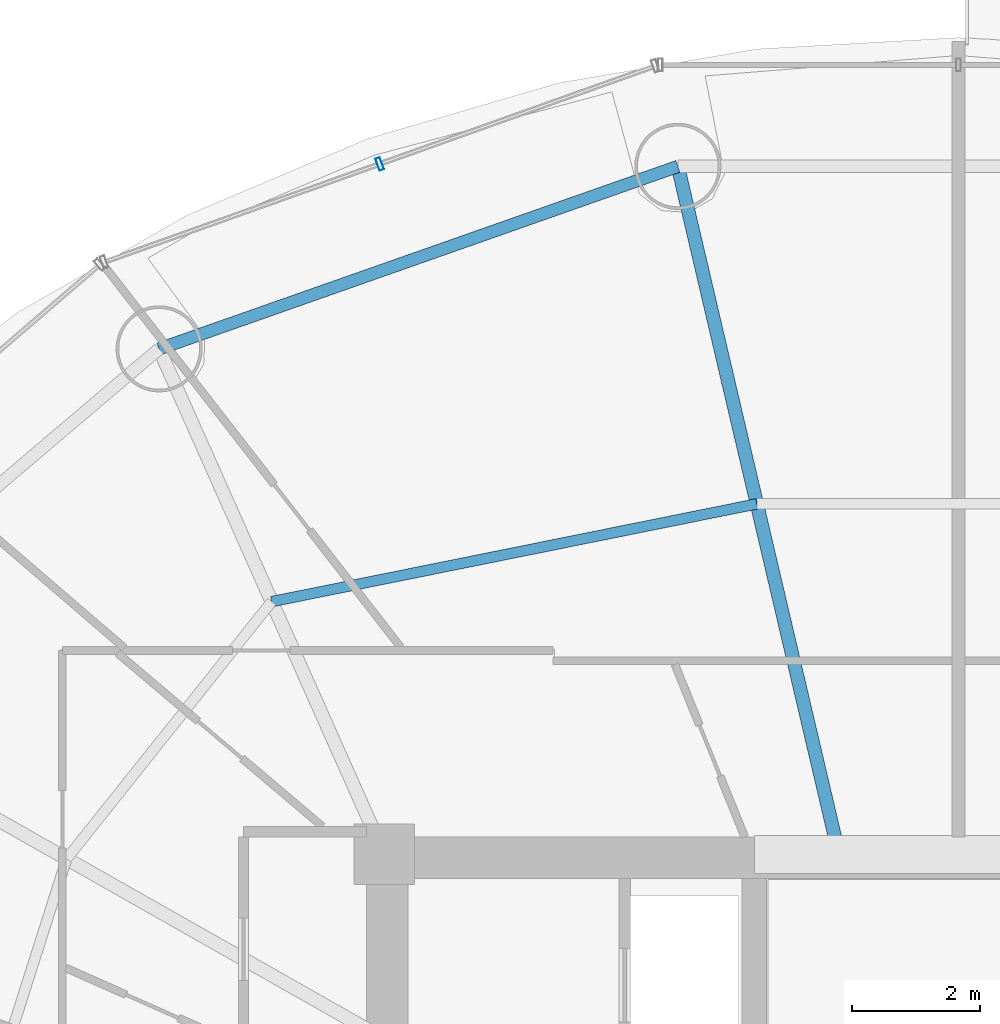
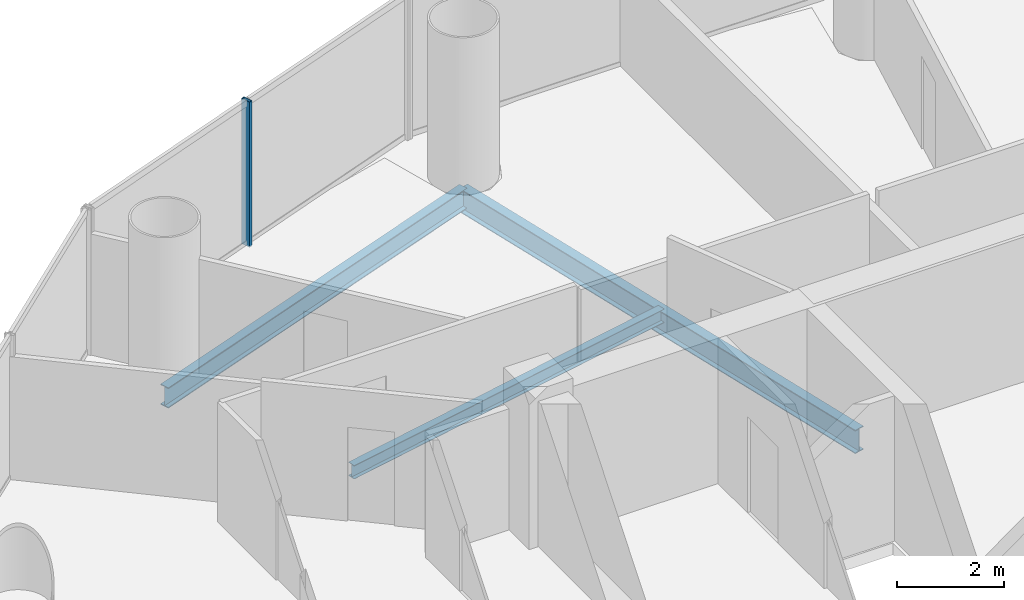
# One storey, part 15 of 27: 3 beams, 1 member, 1 element without a shape of its own.
"""IFC4 building model written with IfcOpenShell, lengths in metres."""

from ifc_helpers import new_model, si_unit, direction, frame, origin, origin_2d, place, context, subcontext, project, spatial, hollow_rectangle, i_section, extrude, source, transform, mapped, material, material_profile, profile_set, type_object, element, aggregate, save


model = new_model("IFC4")

# Units and contexts
model_context = context("Model", 3, precision=1e-05, world=origin(), true_north=direction((-0.2419218956, 0.970295726276)))
body_context = subcontext(model_context, "Body", "Model", "MODEL_VIEW")
ifc_project = project(units=[si_unit("LENGTHUNIT", "METRE"), si_unit("AREAUNIT", "SQUARE_METRE"), si_unit("VOLUMEUNIT", "CUBIC_METRE"), si_unit("PLANEANGLEUNIT", "RADIAN"), si_unit("MASSUNIT", "GRAM", prefix="KILO")], contexts=[model_context])

# Site, building, storey
site_placement = place(None, origin())
site = spatial("IfcSite", under=ifc_project, at=site_placement, CompositionType="ELEMENT")
building_placement = place(site_placement, origin())
building = spatial("IfcBuilding", under=site, at=building_placement, Name="Cobrevalo Terracotta Tower", CompositionType="ELEMENT")
storey_placement = place(building_placement, frame((0.0, 0.0, 164.199951171875)))
storey = spatial("IfcBuildingStorey", under=building, at=storey_placement, Name="L43", CompositionType="ELEMENT", Elevation=164.199951171875)

# Beams
ifc_material_1 = material(Name="Steel S355", Category="steel")
ifc_material_profile_1 = material_profile(ifc_material_1, i_section(OverallWidth=0.2109375, OverallDepth=0.5390625, WebThickness=0.01171875, FlangeThickness=0.018798828125, at=origin_2d()), Name="W 530x109")
ifc_profile_set_1 = profile_set([ifc_material_profile_1], Name="Steel S355")
beam_type_1 = type_object("IfcBeamType", Name="Structural Beam W 530x109 (Steel S355)", PredefinedType="BEAM", material=ifc_profile_set_1)
beam_1_placement = place(storey_placement, frame((33.600830078125, 45.58203125, -0.53955078125), z_axis=(0.228040864186, -0.973651562039, 0.0), x_axis=(0.973651562039, 0.228040864186, 0.0)))
element("IfcBeam", 1, at=beam_1_placement, inside=storey, type_object=beam_type_1, Name="L43 radial floor girder 05", PredefinedType="BEAM", context=body_context, shape_type="SweptSolid", body=[
    extrude(i_section(OverallWidth=0.2109375, OverallDepth=0.5390625, WebThickness=0.01171875, FlangeThickness=0.018798828125, at=origin_2d()), origin(), (0.0, 0.0, 1.0), 10.86328125),
])
ifc_material_profile_2 = material_profile(ifc_material_1, i_section(OverallWidth=0.1650390625, OverallDepth=0.31005859375, WebThickness=0.005859375, FlangeThickness=0.009765625, at=origin_2d()), Name="W 310x38.7")
ifc_profile_set_2 = profile_set([ifc_material_profile_2], Name="Steel S355")
beam_type_2 = type_object("IfcBeamType", Name="Structural Joist W 310x38.7 (Steel S355)", PredefinedType="JOIST", material=ifc_profile_set_2)
beam_2_placement = place(storey_placement, frame((34.83935546875, 40.29345703125, -0.425048828125), z_axis=(-0.980293928329, -0.197544461026, 0.0), x_axis=(0.197544461026, -0.980293928329, 0.0)))
element("IfcBeam", 2, at=beam_2_placement, inside=storey, type_object=beam_type_2, Name="L43 circumferential secondary floor joist 05", PredefinedType="JOIST", context=body_context, shape_type="SweptSolid", body=[
    extrude(i_section(OverallWidth=0.1650390625, OverallDepth=0.31005859375, WebThickness=0.005859375, FlangeThickness=0.009765625, at=origin_2d()), origin(), (0.0, 0.0, 1.0), 7.75634765625),
])
ifc_material_profile_3 = material_profile(ifc_material_1, i_section(OverallWidth=0.194091796875, OverallDepth=0.468994140625, WebThickness=0.011474609375, FlangeThickness=0.0205078125, at=origin_2d()), Name="W 460x106")
ifc_profile_set_3 = profile_set([ifc_material_profile_3], Name="Steel S355")
beam_type_3 = type_object("IfcBeamType", Name="Structural Spandrel W 460x106 (Steel S355)", PredefinedType="SPANDREL", material=ifc_profile_set_3)
beam_3_placement = place(storey_placement, frame((33.600830078125, 45.58203125, -0.50439453125), z_axis=(-0.943341298492, -0.331824041565, 0.0), x_axis=(0.331824041565, -0.943341298492, 0.0)))
element("IfcBeam", 3, at=beam_3_placement, inside=storey, type_object=beam_type_3, Name="L43 perimeter ring spandrel 05", PredefinedType="SPANDREL", context=body_context, shape_type="SweptSolid", body=[
    extrude(i_section(OverallWidth=0.194091796875, OverallDepth=0.468994140625, WebThickness=0.011474609375, FlangeThickness=0.0205078125, at=origin_2d()), origin(), (0.0, 0.0, 1.0), 8.6171875),
])

# Curtain wall, member
ifc_material_2 = material(Name="Anodized aluminium", Category="aluminium")
curtain_wall_type = type_object("IfcCurtainWallType", Name="Mid-tower high-wind unitised curtain wall CW-U2", PredefinedType="NOTDEFINED", material=ifc_material_2)
curtain_wall_placement = place(storey_placement, origin())
curtain_wall = element("IfcCurtainWall", 4, at=curtain_wall_placement, inside=storey, type_object=curtain_wall_type, Name="L43 curtain wall CW-L43-S05", PredefinedType="NOTDEFINED")
ifc_material_profile_4 = material_profile(ifc_material_2, hollow_rectangle(XDim=0.074951171875, YDim=0.199951171875, WallThickness=0.0048828125, at=origin_2d()), Name="CWM 75x200")
ifc_profile_set_4 = profile_set([ifc_material_profile_4], Name="Anodized aluminium")
member_type = type_object("IfcMemberType", Name="Lower/mid tower unitised mullion 75x200", PredefinedType="MULLION", material=ifc_profile_set_4)
shared_shape = source(origin(), body_context, "Body", "SweptSolid", [
    extrude(hollow_rectangle(XDim=0.074951171875, YDim=0.199951171875, WallThickness=0.0048828125, at=origin_2d()), origin(), (0.0, 0.0, 1.0), 3.330078125),
])
member_placement = place(storey_placement, frame((28.92822265625, 45.620361328125, 0.0), z_axis=(0.0, 0.0, 1.0), x_axis=(-0.942098428897, -0.335336473217, 0.0)))
member = element("IfcMember", 5, at=member_placement, type_object=member_type, Name="CW-L43-S05 vertical mullion 02", PredefinedType="MULLION", context=body_context, shape_type="MappedRepresentation", body=[
    mapped(shared_shape, transform((0.0, 0.0, 0.0), scale=1.0)),
])
aggregate(curtain_wall, [member])

save(model, "model.ifc")
